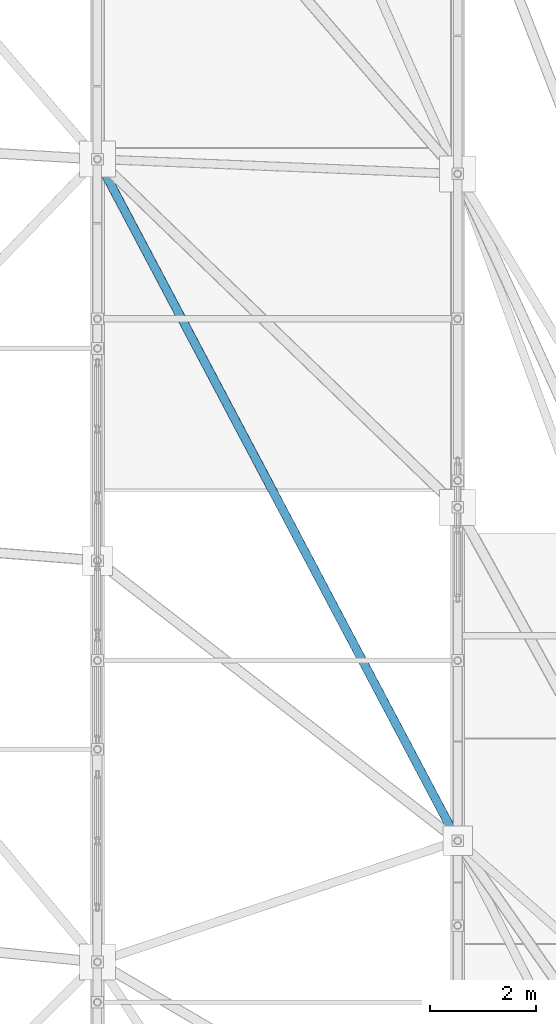
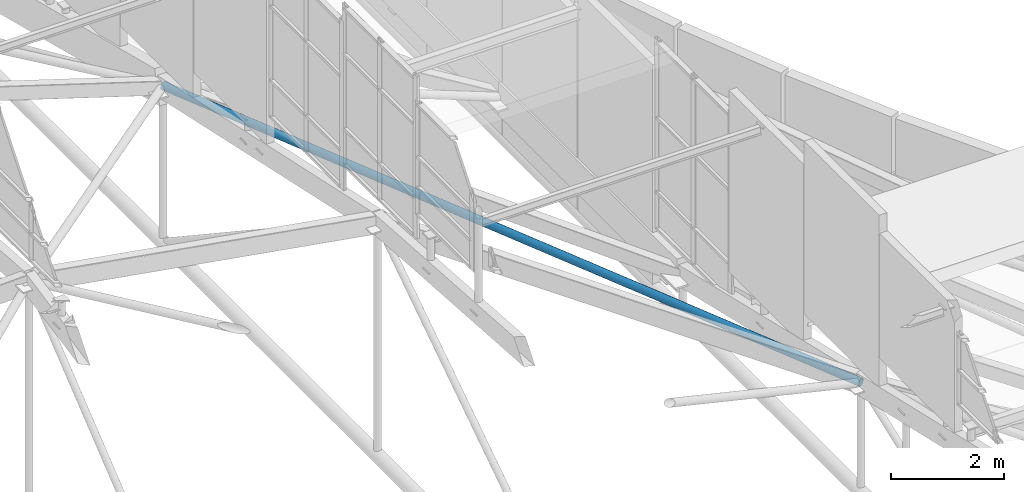
# One storey, part 48 of 188: 1 member.
"""IFC4 building model written with IfcOpenShell, lengths in metres."""

from ifc_helpers import new_model, si_unit, direction, frame, origin, origin_2d, place, context, subcontext, project, spatial, hollow_circle, extrude, material, material_profile, profile_set, type_object, element, save


model = new_model("IFC4")

# Units and contexts
model_context = context("Model", 3, precision=1e-05, world=origin(), true_north=direction((0.0, 1.0)))
body_context = subcontext(model_context, "Body", "Model", "MODEL_VIEW")
ifc_project = project(units=[si_unit("LENGTHUNIT", "METRE"), si_unit("AREAUNIT", "SQUARE_METRE"), si_unit("VOLUMEUNIT", "CUBIC_METRE"), si_unit("PLANEANGLEUNIT", "RADIAN"), si_unit("MASSUNIT", "GRAM", prefix="KILO")], contexts=[model_context])

# Site, building, storey
site_placement = place(None, origin())
site = spatial("IfcSite", under=ifc_project, at=site_placement, CompositionType="ELEMENT")
building_placement = place(site_placement, origin())
building = spatial("IfcBuilding", under=site, at=building_placement, Name="Kisaragi Civic Commons", CompositionType="ELEMENT")
storey_placement = place(building_placement, frame((0.0, 0.0, 9.60009765625)))
storey = spatial("IfcBuildingStorey", under=building, at=storey_placement, Name="L02", CompositionType="ELEMENT", Elevation=9.60009765625)

# Member
ifc_material = material(Name="Steel SN400 (SN400B)", Category="steel")
ifc_material_profile = material_profile(ifc_material, hollow_circle(Radius=0.08251953125, WallThickness=0.006103515625, at=origin_2d()), Name="CHS-165.2x6.0", Category="steel")
ifc_profile_set = profile_set([ifc_material_profile], Name="Steel SN400 (SN400B)")
member_type = type_object("IfcMemberType", Name="BR-02", PredefinedType="BRACE", material=ifc_profile_set)
member_placement = place(storey_placement, frame((20.39990234375, 39.66748046875, 2.875244140625), z_axis=(0.466201482589, -0.882138970197, -0.066985184121), x_axis=(0.884124740685, 0.467250942115, 0.0)))
element("IfcMember", 1, at=member_placement, inside=storey, type_object=member_type, Name="V1 diagonal gridshell steel brace 22", PredefinedType="BRACE", context=body_context, shape_type="SweptSolid", body=[
    extrude(hollow_circle(Radius=0.08251953125, WallThickness=0.006103515625, at=origin_2d()), origin(), (0.0, 0.0, 1.0), 14.586181640625),
])

save(model, "model.ifc")
